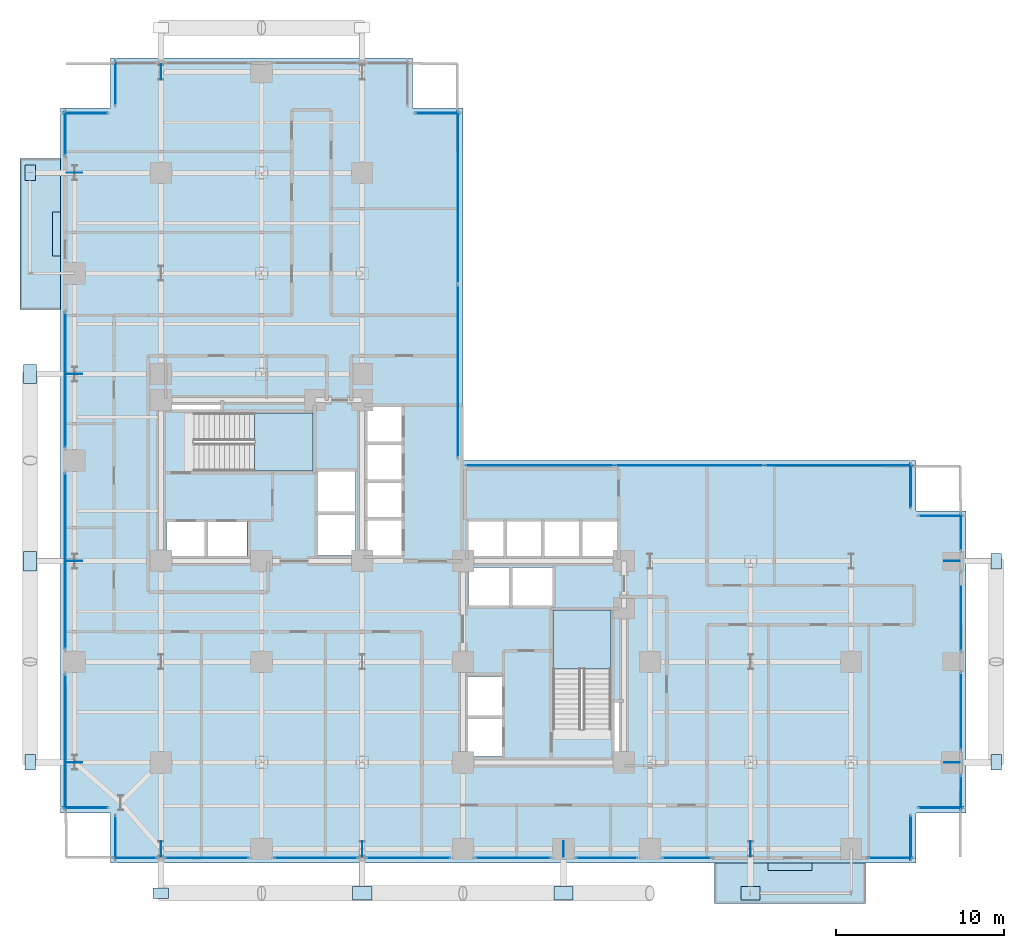
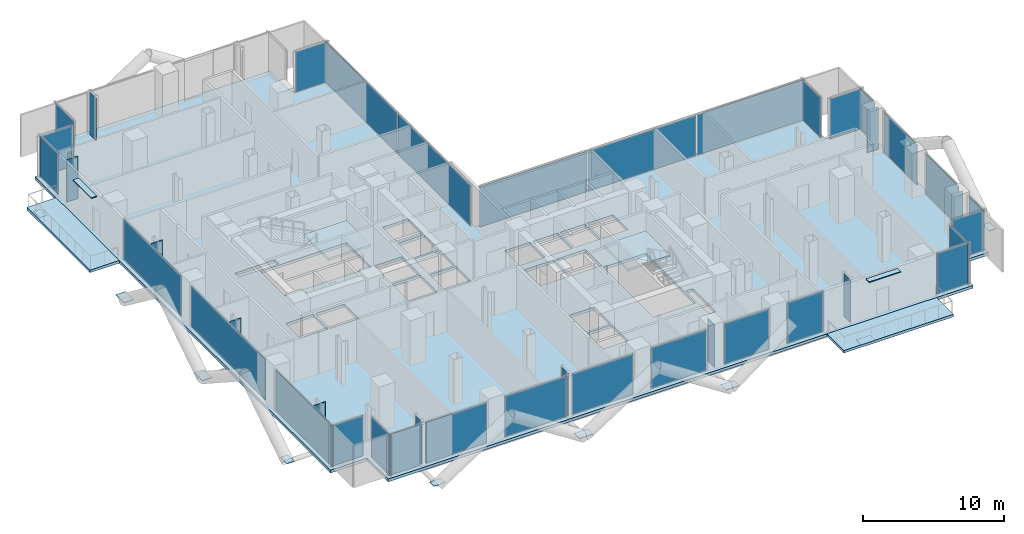
# One storey, part 17 of 27: 53 plates, 5 slabs, 29 elements without a shape of their own.
"""IFC4 building model written with IfcOpenShell, lengths in metres."""

from ifc_helpers import new_model, si_unit, direction, frame, origin, origin_2d, place, context, subcontext, project, spatial, polyline, rectangle, outline, extrude, material, layer, layer_set, type_object, element, aggregate, save


model = new_model("IFC4")

# Units and contexts
model_context = context("Model", 3, precision=1e-05, world=origin(), true_north=direction((0.0, 1.0)))
body_context = subcontext(model_context, "Body", "Model", "MODEL_VIEW")
ifc_project = project(units=[si_unit("LENGTHUNIT", "METRE"), si_unit("AREAUNIT", "SQUARE_METRE"), si_unit("VOLUMEUNIT", "CUBIC_METRE"), si_unit("PLANEANGLEUNIT", "RADIAN"), si_unit("MASSUNIT", "GRAM", prefix="KILO"), si_unit("THERMODYNAMICTEMPERATUREUNIT", "KELVIN"), si_unit("POWERUNIT", "WATT")], contexts=[model_context])

# Site, building, storey
site_placement = place(None, origin())
site = spatial("IfcSite", under=ifc_project, at=site_placement, CompositionType="ELEMENT")
building_placement = place(site_placement, origin())
building = spatial("IfcBuilding", under=site, at=building_placement, Name="Svarakhadi Broadcast Tower", CompositionType="ELEMENT")
storey_placement = place(building_placement, frame((0.0, 0.0, 55.800048828125)))
storey = spatial("IfcBuildingStorey", under=building, at=storey_placement, Name="L12", CompositionType="ELEMENT", Elevation=55.800048828125)

# Curtain wall, plate
ifc_material_1 = material(Name="Anodised Bronze Aluminium AA 6063-T6", Category="aluminium")
ifc_layer_1 = layer(ifc_material_1, 0.219970703125)
ifc_layer_set_1 = layer_set([ifc_layer_1], Name="Anodised Bronze Aluminium AA 6063-T6")
curtain_wall_type = type_object("IfcCurtainWallType", Name="CW_Sys_02", PredefinedType="NOTDEFINED", material=ifc_layer_set_1)
curtain_wall_1_placement = place(storey_placement, origin())
curtain_wall_1 = element("IfcCurtainWall", 1, at=curtain_wall_1_placement, inside=storey, type_object=curtain_wall_type, Name="L12 Unitised Facade Curtain Wall 01", PredefinedType="NOTDEFINED")
ifc_material_2 = material(Name="Double Low-E Laminated Acoustic Glass IGU 36 mm", Category="glass")
ifc_layer_2 = layer(ifc_material_2, 0.035888671875)
ifc_layer_set_2 = layer_set([ifc_layer_2], Name="Double Low-E Laminated Acoustic Glass IGU 36 mm")
plate_type_1 = type_object("IfcPlateType", Name="CW_Sys_02_Pnl", PredefinedType="CURTAIN_PANEL", material=ifc_layer_set_2)
plate_1_placement = place(storey_placement, frame((1.5, 3.300048828125, 0.074951171875), z_axis=(0.0, 0.0, 1.0), x_axis=(-1.0, 0.0, 0.0)))
plate_1 = element("IfcPlate", 2, at=plate_1_placement, type_object=plate_type_1, Name="CW-02 panel 1.1", PredefinedType="CURTAIN_PANEL", context=body_context, shape_type="SweptSolid", body=[
    extrude(rectangle(XDim=2.64990234375, YDim=0.035888671875, at=origin_2d()), origin(), (0.0, 0.0, 1.0), 3.5),
])
aggregate(curtain_wall_1, [plate_1])

curtain_wall_2_placement = place(storey_placement, origin())
curtain_wall_2 = element("IfcCurtainWall", 3, at=curtain_wall_2_placement, inside=storey, type_object=curtain_wall_type, Name="L12 West Curtain Wall 02 Bay 1", PredefinedType="NOTDEFINED")
plate_2_placement = place(storey_placement, frame((0.300048828125, 7.2099609375, 0.074951171875), z_axis=(0.0, 0.0, 1.0), x_axis=(0.0, 1.0, 0.0)))
plate_2 = element("IfcPlate", 4, at=plate_2_placement, type_object=plate_type_1, Name="CW-02 panel 1.1", PredefinedType="CURTAIN_PANEL", context=body_context, shape_type="SweptSolid", body=[
    extrude(rectangle(XDim=8.070068359375, YDim=0.035888671875, at=origin_2d()), origin(), (0.0, 0.0, 1.0), 3.5),
])
aggregate(curtain_wall_2, [plate_2])

curtain_wall_3_placement = place(storey_placement, origin())
curtain_wall_3 = element("IfcCurtainWall", 5, at=curtain_wall_3_placement, inside=storey, type_object=curtain_wall_type, Name="L12 West Curtain Wall 02 Bay 2", PredefinedType="NOTDEFINED")
plate_3_placement = place(storey_placement, frame((0.300048828125, 18.0, 0.074951171875), z_axis=(0.0, 0.0, 1.0), x_axis=(0.0, 1.0, 0.0)))
plate_3 = element("IfcPlate", 6, at=plate_3_placement, type_object=plate_type_1, Name="CW-02 panel 1.1", PredefinedType="CURTAIN_PANEL", context=body_context, shape_type="SweptSolid", body=[
    extrude(rectangle(XDim=10.489990234375, YDim=0.035888671875, at=origin_2d()), origin(), (0.0, 0.0, 1.0), 3.5),
])
aggregate(curtain_wall_3, [plate_3])

curtain_wall_4_placement = place(storey_placement, origin())
curtain_wall_4 = element("IfcCurtainWall", 7, at=curtain_wall_4_placement, inside=storey, type_object=curtain_wall_type, Name="L12 West Curtain Wall 02 Bay 3", PredefinedType="NOTDEFINED")
plate_4_placement = place(storey_placement, frame((0.300048828125, 28.7900390625, 0.074951171875), z_axis=(0.0, 0.0, 1.0), x_axis=(0.0, 1.0, 0.0)))
plate_4 = element("IfcPlate", 8, at=plate_4_placement, type_object=plate_type_1, Name="CW-02 panel 1.1", PredefinedType="CURTAIN_PANEL", context=body_context, shape_type="SweptSolid", body=[
    extrude(rectangle(XDim=8.070068359375, YDim=0.035888671875, at=origin_2d()), origin(), (0.0, 0.0, 1.0), 3.5),
])
aggregate(curtain_wall_4, [plate_4])

curtain_wall_5_placement = place(storey_placement, origin())
curtain_wall_5 = element("IfcCurtainWall", 9, at=curtain_wall_5_placement, inside=storey, type_object=curtain_wall_type, Name="L12 West Curtain Wall 03", PredefinedType="NOTDEFINED")
plate_5_placement = place(storey_placement, frame((0.300048828125, 43.5, 0.074951171875), z_axis=(0.0, 0.0, 1.0), x_axis=(0.0, 1.0, 0.0)))
plate_5 = element("IfcPlate", 10, at=plate_5_placement, type_object=plate_type_1, Name="CW-02 panel 1.1", PredefinedType="CURTAIN_PANEL", context=body_context, shape_type="SweptSolid", body=[
    extrude(rectangle(XDim=2.64990234375, YDim=0.035888671875, at=origin_2d()), origin(), (0.0, 0.0, 1.0), 3.5),
])
aggregate(curtain_wall_5, [plate_5])

curtain_wall_6_placement = place(storey_placement, origin())
curtain_wall_6 = element("IfcCurtainWall", 11, at=curtain_wall_6_placement, inside=storey, type_object=curtain_wall_type, Name="L12 Unitised Facade Curtain Wall 04", PredefinedType="NOTDEFINED")
plate_6_placement = place(storey_placement, frame((1.5, 44.699951171875, 0.074951171875), z_axis=(0.0, 0.0, 1.0), x_axis=(1.0, 0.0, 0.0)))
plate_6 = element("IfcPlate", 12, at=plate_6_placement, type_object=plate_type_1, Name="CW-02 panel 1.1", PredefinedType="CURTAIN_PANEL", context=body_context, shape_type="SweptSolid", body=[
    extrude(rectangle(XDim=2.64990234375, YDim=0.035888671875, at=origin_2d()), origin(), (0.0, 0.0, 1.0), 3.5),
])
aggregate(curtain_wall_6, [plate_6])

curtain_wall_7_placement = place(storey_placement, origin())
curtain_wall_7 = element("IfcCurtainWall", 13, at=curtain_wall_7_placement, inside=storey, type_object=curtain_wall_type, Name="L12 Unitised Facade Curtain Wall 05", PredefinedType="NOTDEFINED")
plate_7_placement = place(storey_placement, frame((3.300048828125, 46.5, 0.074951171875), z_axis=(0.0, 0.0, 1.0), x_axis=(0.0, 1.0, 0.0)))
plate_7 = element("IfcPlate", 14, at=plate_7_placement, type_object=plate_type_1, Name="CW-02 panel 1.1", PredefinedType="CURTAIN_PANEL", context=body_context, shape_type="SweptSolid", body=[
    extrude(rectangle(XDim=2.64990234375, YDim=0.035888671875, at=origin_2d()), origin(), (0.0, 0.0, 1.0), 3.5),
])
aggregate(curtain_wall_7, [plate_7])

curtain_wall_8_placement = place(storey_placement, origin())
curtain_wall_8 = element("IfcCurtainWall", 15, at=curtain_wall_8_placement, inside=storey, type_object=curtain_wall_type, Name="L12 Unitised Facade Curtain Wall 08", PredefinedType="NOTDEFINED")
plate_8_placement = place(storey_placement, frame((22.5, 44.699951171875, 0.074951171875), z_axis=(0.0, 0.0, 1.0), x_axis=(1.0, 0.0, 0.0)))
plate_8 = element("IfcPlate", 16, at=plate_8_placement, type_object=plate_type_1, Name="CW-02 panel 1.1", PredefinedType="CURTAIN_PANEL", context=body_context, shape_type="SweptSolid", body=[
    extrude(rectangle(XDim=2.64990234375, YDim=0.035888671875, at=origin_2d()), origin(), (0.0, 0.0, 1.0), 3.5),
])
aggregate(curtain_wall_8, [plate_8])

# Curtain wall, plates
curtain_wall_9_placement = place(storey_placement, origin())
curtain_wall_9 = element("IfcCurtainWall", 17, at=curtain_wall_9_placement, inside=storey, type_object=curtain_wall_type, Name="L12 Unitised Facade Curtain Wall 09", PredefinedType="NOTDEFINED")
plate_9_placement = place(storey_placement, frame((23.699951171875, 39.683837890625, 0.074951171875), z_axis=(0.0, 0.0, 1.0), x_axis=(0.0, -1.0, 0.0)))
plate_9 = element("IfcPlate", 18, at=plate_9_placement, type_object=plate_type_1, Name="CW-02 panel 1.1", PredefinedType="CURTAIN_PANEL", context=body_context, shape_type="SweptSolid", body=[
    extrude(rectangle(XDim=10.282470703125, YDim=0.035888671875, at=origin_2d()), origin(), (0.0, 0.0, 1.0), 3.5),
])
plate_10_placement = place(storey_placement, frame((23.699951171875, 29.316162109375, 0.074951171875), z_axis=(0.0, 0.0, 1.0), x_axis=(0.0, -1.0, 0.0)))
plate_10 = element("IfcPlate", 19, at=plate_10_placement, type_object=plate_type_1, Name="CW-02 panel 2.1", PredefinedType="CURTAIN_PANEL", context=body_context, shape_type="SweptSolid", body=[
    extrude(rectangle(XDim=10.282470703125, YDim=0.035888671875, at=origin_2d()), origin(), (0.0, 0.0, 1.0), 3.5),
])
aggregate(curtain_wall_9, [plate_9, plate_10])

curtain_wall_10_placement = place(storey_placement, origin())
curtain_wall_10 = element("IfcCurtainWall", 20, at=curtain_wall_10_placement, inside=storey, type_object=curtain_wall_type, Name="L12 Unitised Facade Curtain Wall 10", PredefinedType="NOTDEFINED")
plate_11_placement = place(storey_placement, frame((28.581298828125, 23.699951171875, 0.074951171875), z_axis=(0.0, 0.0, 1.0), x_axis=(1.0, 0.0, 0.0)))
plate_11 = element("IfcPlate", 21, at=plate_11_placement, type_object=plate_type_1, Name="CW-02 panel 1.1", PredefinedType="CURTAIN_PANEL", context=body_context, shape_type="SweptSolid", body=[
    extrude(rectangle(XDim=8.8125, YDim=0.035888671875, at=origin_2d()), origin(), (0.0, 0.0, 1.0), 3.5),
])
plate_12_placement = place(storey_placement, frame((37.5, 23.699951171875, 0.074951171875), z_axis=(0.0, 0.0, 1.0), x_axis=(1.0, 0.0, 0.0)))
plate_12 = element("IfcPlate", 22, at=plate_12_placement, type_object=plate_type_1, Name="CW-02 panel 2.1", PredefinedType="CURTAIN_PANEL", context=body_context, shape_type="SweptSolid", body=[
    extrude(rectangle(XDim=8.85498046875, YDim=0.035888671875, at=origin_2d()), origin(), (0.0, 0.0, 1.0), 3.5),
])
plate_13_placement = place(storey_placement, frame((46.418701171875, 23.699951171875, 0.074951171875), z_axis=(0.0, 0.0, 1.0), x_axis=(1.0, 0.0, 0.0)))
plate_13 = element("IfcPlate", 23, at=plate_13_placement, type_object=plate_type_1, Name="CW-02 panel 3.1", PredefinedType="CURTAIN_PANEL", context=body_context, shape_type="SweptSolid", body=[
    extrude(rectangle(XDim=8.8125, YDim=0.035888671875, at=origin_2d()), origin(), (0.0, 0.0, 1.0), 3.5),
])
aggregate(curtain_wall_10, [plate_11, plate_12, plate_13])

# Curtain wall, plate
curtain_wall_11_placement = place(storey_placement, origin())
curtain_wall_11 = element("IfcCurtainWall", 24, at=curtain_wall_11_placement, inside=storey, type_object=curtain_wall_type, Name="L12 Unitised Facade Curtain Wall 11", PredefinedType="NOTDEFINED")
plate_14_placement = place(storey_placement, frame((50.699951171875, 22.5, 0.074951171875), z_axis=(0.0, 0.0, 1.0), x_axis=(0.0, -1.0, 0.0)))
plate_14 = element("IfcPlate", 25, at=plate_14_placement, type_object=plate_type_1, Name="CW-02 panel 1.1", PredefinedType="CURTAIN_PANEL", context=body_context, shape_type="SweptSolid", body=[
    extrude(rectangle(XDim=2.64990234375, YDim=0.035888671875, at=origin_2d()), origin(), (0.0, 0.0, 1.0), 3.5),
])
aggregate(curtain_wall_11, [plate_14])

curtain_wall_12_placement = place(storey_placement, origin())
curtain_wall_12 = element("IfcCurtainWall", 26, at=curtain_wall_12_placement, inside=storey, type_object=curtain_wall_type, Name="L12 Unitised Facade Curtain Wall 12", PredefinedType="NOTDEFINED")
plate_15_placement = place(storey_placement, frame((52.5, 20.699951171875, 0.074951171875), z_axis=(0.0, 0.0, 1.0), x_axis=(1.0, 0.0, 0.0)))
plate_15 = element("IfcPlate", 27, at=plate_15_placement, type_object=plate_type_1, Name="CW-02 panel 1.1", PredefinedType="CURTAIN_PANEL", context=body_context, shape_type="SweptSolid", body=[
    extrude(rectangle(XDim=2.64990234375, YDim=0.035888671875, at=origin_2d()), origin(), (0.0, 0.0, 1.0), 3.5),
])
aggregate(curtain_wall_12, [plate_15])

curtain_wall_13_placement = place(storey_placement, origin())
curtain_wall_13 = element("IfcCurtainWall", 28, at=curtain_wall_13_placement, inside=storey, type_object=curtain_wall_type, Name="L12 Unitised Facade Curtain Wall 13 Bay 1", PredefinedType="NOTDEFINED")
plate_16_placement = place(storey_placement, frame((53.699951171875, 19.739990234375, 0.074951171875), z_axis=(0.0, 0.0, 1.0), x_axis=(0.0, -1.0, 0.0)))
plate_16 = element("IfcPlate", 29, at=plate_16_placement, type_object=plate_type_1, Name="CW-02 panel 1.1", PredefinedType="CURTAIN_PANEL", context=body_context, shape_type="SweptSolid", body=[
    extrude(rectangle(XDim=2.169921875, YDim=0.035888671875, at=origin_2d()), origin(), (0.0, 0.0, 1.0), 3.5),
])
aggregate(curtain_wall_13, [plate_16])

curtain_wall_14_placement = place(storey_placement, origin())
curtain_wall_14 = element("IfcCurtainWall", 30, at=curtain_wall_14_placement, inside=storey, type_object=curtain_wall_type, Name="L12 Unitised Facade Curtain Wall 13 Bay 2", PredefinedType="NOTDEFINED")
plate_17_placement = place(storey_placement, frame((53.699951171875, 15.0, 0.074951171875), z_axis=(0.0, 0.0, 1.0), x_axis=(0.0, -1.0, 0.0)))
plate_17 = element("IfcPlate", 31, at=plate_17_placement, type_object=plate_type_1, Name="CW-02 panel 1.1", PredefinedType="CURTAIN_PANEL", context=body_context, shape_type="SweptSolid", body=[
    extrude(rectangle(XDim=4.68994140625, YDim=0.035888671875, at=origin_2d()), origin(), (0.0, 0.0, 1.0), 3.5),
])
aggregate(curtain_wall_14, [plate_17])

curtain_wall_15_placement = place(storey_placement, origin())
curtain_wall_15 = element("IfcCurtainWall", 32, at=curtain_wall_15_placement, inside=storey, type_object=curtain_wall_type, Name="L12 Unitised Facade Curtain Wall 13 Bay 3", PredefinedType="NOTDEFINED")
plate_18_placement = place(storey_placement, frame((53.699951171875, 9.050048828125, 0.074951171875), z_axis=(0.0, 0.0, 1.0), x_axis=(0.0, -1.0, 0.0)))
plate_18 = element("IfcPlate", 33, at=plate_18_placement, type_object=plate_type_1, Name="CW-02 panel 1.1", PredefinedType="CURTAIN_PANEL", context=body_context, shape_type="SweptSolid", body=[
    extrude(rectangle(XDim=4.590087890625, YDim=0.035888671875, at=origin_2d()), origin(), (0.0, 0.0, 1.0), 3.5),
])
aggregate(curtain_wall_15, [plate_18])

curtain_wall_16_placement = place(storey_placement, origin())
curtain_wall_16 = element("IfcCurtainWall", 34, at=curtain_wall_16_placement, inside=storey, type_object=curtain_wall_type, Name="L12 Unitised Facade Curtain Wall 13 Bay 4", PredefinedType="NOTDEFINED")
plate_19_placement = place(storey_placement, frame((53.699951171875, 4.2099609375, 0.074951171875), z_axis=(0.0, 0.0, 1.0), x_axis=(0.0, -1.0, 0.0)))
plate_19 = element("IfcPlate", 35, at=plate_19_placement, type_object=plate_type_1, Name="CW-02 panel 1.1", PredefinedType="CURTAIN_PANEL", context=body_context, shape_type="SweptSolid", body=[
    extrude(rectangle(XDim=2.070068359375, YDim=0.035888671875, at=origin_2d()), origin(), (0.0, 0.0, 1.0), 3.5),
])
aggregate(curtain_wall_16, [plate_19])

curtain_wall_17_placement = place(storey_placement, origin())
curtain_wall_17 = element("IfcCurtainWall", 36, at=curtain_wall_17_placement, inside=storey, type_object=curtain_wall_type, Name="L12 Unitised Facade Curtain Wall 14", PredefinedType="NOTDEFINED")
plate_20_placement = place(storey_placement, frame((52.5, 3.300048828125, 0.074951171875), z_axis=(0.0, 0.0, 1.0), x_axis=(-1.0, 0.0, 0.0)))
plate_20 = element("IfcPlate", 37, at=plate_20_placement, type_object=plate_type_1, Name="CW-02 panel 1.1", PredefinedType="CURTAIN_PANEL", context=body_context, shape_type="SweptSolid", body=[
    extrude(rectangle(XDim=2.64990234375, YDim=0.035888671875, at=origin_2d()), origin(), (0.0, 0.0, 1.0), 3.5),
])
aggregate(curtain_wall_17, [plate_20])

curtain_wall_18_placement = place(storey_placement, origin())
curtain_wall_18 = element("IfcCurtainWall", 38, at=curtain_wall_18_placement, inside=storey, type_object=curtain_wall_type, Name="L12 Unitised Facade Curtain Wall 15", PredefinedType="NOTDEFINED")
plate_21_placement = place(storey_placement, frame((50.699951171875, 1.5, 0.074951171875), z_axis=(0.0, 0.0, 1.0), x_axis=(0.0, -1.0, 0.0)))
plate_21 = element("IfcPlate", 39, at=plate_21_placement, type_object=plate_type_1, Name="CW-02 panel 1.1", PredefinedType="CURTAIN_PANEL", context=body_context, shape_type="SweptSolid", body=[
    extrude(rectangle(XDim=2.64990234375, YDim=0.035888671875, at=origin_2d()), origin(), (0.0, 0.0, 1.0), 3.5),
])
aggregate(curtain_wall_18, [plate_21])

curtain_wall_19_placement = place(storey_placement, origin())
curtain_wall_19 = element("IfcCurtainWall", 40, at=curtain_wall_19_placement, inside=storey, type_object=curtain_wall_type, Name="L12 South Curtain Wall 16", PredefinedType="NOTDEFINED")
plate_22_placement = place(storey_placement, frame((49.5, 0.300048828125, 0.074951171875), z_axis=(0.0, 0.0, 1.0), x_axis=(-1.0, 0.0, 0.0)))
plate_22 = element("IfcPlate", 41, at=plate_22_placement, type_object=plate_type_1, Name="CW-02 panel 1.1", PredefinedType="CURTAIN_PANEL", context=body_context, shape_type="SweptSolid", body=[
    extrude(rectangle(XDim=2.64990234375, YDim=0.035888671875, at=origin_2d()), origin(), (0.0, 0.0, 1.0), 3.5),
])
aggregate(curtain_wall_19, [plate_22])

curtain_wall_20_placement = place(storey_placement, origin())
curtain_wall_20 = element("IfcCurtainWall", 42, at=curtain_wall_20_placement, inside=storey, type_object=curtain_wall_type, Name="L12 South Curtain Wall 17 Bay 1", PredefinedType="NOTDEFINED")
plate_23_placement = place(storey_placement, frame((37.364990234375, 0.300048828125, 0.074951171875), z_axis=(0.0, 0.0, 1.0), x_axis=(-1.0, 0.0, 0.0)))
plate_23 = element("IfcPlate", 43, at=plate_23_placement, type_object=plate_type_1, Name="CW-02 panel 1.1", PredefinedType="CURTAIN_PANEL", context=body_context, shape_type="SweptSolid", body=[
    extrude(rectangle(XDim=2.919921875, YDim=0.035888671875, at=origin_2d()), origin(), (0.0, 0.0, 1.0), 3.5),
])
aggregate(curtain_wall_20, [plate_23])

curtain_wall_21_placement = place(storey_placement, origin())
curtain_wall_21 = element("IfcCurtainWall", 44, at=curtain_wall_21_placement, inside=storey, type_object=curtain_wall_type, Name="L12 South Curtain Wall 17 Bay 2", PredefinedType="NOTDEFINED")
plate_24_placement = place(storey_placement, frame((32.574951171875, 0.300048828125, 0.074951171875), z_axis=(0.0, 0.0, 1.0), x_axis=(-1.0, 0.0, 0.0)))
plate_24 = element("IfcPlate", 45, at=plate_24_placement, type_object=plate_type_1, Name="CW-02 panel 1.1", PredefinedType="CURTAIN_PANEL", context=body_context, shape_type="SweptSolid", body=[
    extrude(rectangle(XDim=3.639892578125, YDim=0.035888671875, at=origin_2d()), origin(), (0.0, 0.0, 1.0), 3.5),
])
aggregate(curtain_wall_21, [plate_24])

curtain_wall_22_placement = place(storey_placement, origin())
curtain_wall_22 = element("IfcCurtainWall", 46, at=curtain_wall_22_placement, inside=storey, type_object=curtain_wall_type, Name="L12 South Curtain Wall 17 Bay 3", PredefinedType="NOTDEFINED")
plate_25_placement = place(storey_placement, frame((27.0, 0.300048828125, 0.074951171875), z_axis=(0.0, 0.0, 1.0), x_axis=(-1.0, 0.0, 0.0)))
plate_25 = element("IfcPlate", 47, at=plate_25_placement, type_object=plate_type_1, Name="CW-02 panel 1.1", PredefinedType="CURTAIN_PANEL", context=body_context, shape_type="SweptSolid", body=[
    extrude(rectangle(XDim=4.489990234375, YDim=0.035888671875, at=origin_2d()), origin(), (0.0, 0.0, 1.0), 3.5),
])
aggregate(curtain_wall_22, [plate_25])

curtain_wall_23_placement = place(storey_placement, origin())
curtain_wall_23 = element("IfcCurtainWall", 48, at=curtain_wall_23_placement, inside=storey, type_object=curtain_wall_type, Name="L12 South Curtain Wall 17 Bay 4", PredefinedType="NOTDEFINED")
plate_26_placement = place(storey_placement, frame((20.75, 0.300048828125, 0.074951171875), z_axis=(0.0, 0.0, 1.0), x_axis=(-1.0, 0.0, 0.0)))
plate_26 = element("IfcPlate", 49, at=plate_26_placement, type_object=plate_type_1, Name="CW-02 panel 1.1", PredefinedType="CURTAIN_PANEL", context=body_context, shape_type="SweptSolid", body=[
    extrude(rectangle(XDim=4.989990234375, YDim=0.035888671875, at=origin_2d()), origin(), (0.0, 0.0, 1.0), 3.5),
])
aggregate(curtain_wall_23, [plate_26])

curtain_wall_24_placement = place(storey_placement, origin())
curtain_wall_24 = element("IfcCurtainWall", 50, at=curtain_wall_24_placement, inside=storey, type_object=curtain_wall_type, Name="L12 South Curtain Wall 17 Bay 5", PredefinedType="NOTDEFINED")
plate_27_placement = place(storey_placement, frame((15.25, 0.300048828125, 0.074951171875), z_axis=(0.0, 0.0, 1.0), x_axis=(-1.0, 0.0, 0.0)))
plate_27 = element("IfcPlate", 51, at=plate_27_placement, type_object=plate_type_1, Name="CW-02 panel 1.1", PredefinedType="CURTAIN_PANEL", context=body_context, shape_type="SweptSolid", body=[
    extrude(rectangle(XDim=4.989990234375, YDim=0.035888671875, at=origin_2d()), origin(), (0.0, 0.0, 1.0), 3.5),
])
aggregate(curtain_wall_24, [plate_27])

curtain_wall_25_placement = place(storey_placement, origin())
curtain_wall_25 = element("IfcCurtainWall", 52, at=curtain_wall_25_placement, inside=storey, type_object=curtain_wall_type, Name="L12 South Curtain Wall 17 Bay 6", PredefinedType="NOTDEFINED")
plate_28_placement = place(storey_placement, frame((8.75, 0.300048828125, 0.074951171875), z_axis=(0.0, 0.0, 1.0), x_axis=(-1.0, 0.0, 0.0)))
plate_28 = element("IfcPlate", 53, at=plate_28_placement, type_object=plate_type_1, Name="CW-02 panel 1.1", PredefinedType="CURTAIN_PANEL", context=body_context, shape_type="SweptSolid", body=[
    extrude(rectangle(XDim=4.989990234375, YDim=0.035888671875, at=origin_2d()), origin(), (0.0, 0.0, 1.0), 3.5),
])
aggregate(curtain_wall_25, [plate_28])

curtain_wall_26_placement = place(storey_placement, origin())
curtain_wall_26 = element("IfcCurtainWall", 54, at=curtain_wall_26_placement, inside=storey, type_object=curtain_wall_type, Name="L12 South Curtain Wall 17 Bay 7", PredefinedType="NOTDEFINED")
plate_29_placement = place(storey_placement, frame((4.4599609375, 0.300048828125, 0.074951171875), z_axis=(0.0, 0.0, 1.0), x_axis=(-1.0, 0.0, 0.0)))
plate_29 = element("IfcPlate", 55, at=plate_29_placement, type_object=plate_type_1, Name="CW-02 panel 1.1", PredefinedType="CURTAIN_PANEL", context=body_context, shape_type="SweptSolid", body=[
    extrude(rectangle(XDim=2.570068359375, YDim=0.035888671875, at=origin_2d()), origin(), (0.0, 0.0, 1.0), 3.5),
])
aggregate(curtain_wall_26, [plate_29])

curtain_wall_27_placement = place(storey_placement, origin())
curtain_wall_27 = element("IfcCurtainWall", 56, at=curtain_wall_27_placement, inside=storey, type_object=curtain_wall_type, Name="L12 Unitised Facade Curtain Wall 18", PredefinedType="NOTDEFINED")
plate_30_placement = place(storey_placement, frame((3.300048828125, 1.5, 0.074951171875), z_axis=(0.0, 0.0, 1.0), x_axis=(0.0, 1.0, 0.0)))
plate_30 = element("IfcPlate", 57, at=plate_30_placement, type_object=plate_type_1, Name="CW-02 panel 1.1", PredefinedType="CURTAIN_PANEL", context=body_context, shape_type="SweptSolid", body=[
    extrude(rectangle(XDim=2.64990234375, YDim=0.035888671875, at=origin_2d()), origin(), (0.0, 0.0, 1.0), 3.5),
])
aggregate(curtain_wall_27, [plate_30])

# Plates
ifc_material_3 = material(Name="Steel S460ML (IS 2062 E450BR)", Category="steel")
ifc_layer_3 = layer(ifc_material_3, 0.035888671875)
ifc_layer_set_3 = layer_set([ifc_layer_3], Name="Steel S460ML (IS 2062 E450BR)")
plate_type_2 = type_object("IfcPlateType", Name="Node_Gusset_N01", PredefinedType="SHEET", material=ifc_layer_set_3)
for number, where, z_axis, x_axis, name in (
    (58, (18.0, -1.800048828125, -0.25), (0.0, 0.0, 1.0), (1.0, 0.0, 0.0), "L12 Exoskeleton Gusset Node Plate S02"),
    (59, (30.0, -1.800048828125, -0.25), (0.0, 0.0, 1.0), (1.0, 0.0, 0.0), "L12 Exoskeleton Gusset Node Plate S03"),
    (60, (41.14990234375, -1.800048828125, -0.25), (0.0, 0.0, 1.0), (1.0, 0.0, 0.0), "L12 Exoskeleton Gusset Node Plate S04"),
    (61, (-1.800048828125, 18.0, -0.25), (0.0, 0.0, 1.0), (0.0, 1.0, 0.0), "L12 Exoskeleton Gusset Node Plate W06"),
    (62, (-1.800048828125, 29.14990234375, -0.25), (0.0, 0.0, 1.0), (0.0, 1.0, 0.0), "L12 Exoskeleton Gusset Node Plate W07"),
):
    element("IfcPlate", number, at=place(storey_placement, frame(where, z_axis=z_axis, x_axis=x_axis)), inside=storey, type_object=plate_type_2, Name=name, PredefinedType="SHEET", context=body_context, shape_type="SweptSolid", body=[
        extrude(rectangle(XDim=1.14990234375, YDim=0.780029296875, at=origin_2d()), origin(), (0.0, 0.0, 1.0), 0.035888671875),
    ])
ifc_layer_4 = layer(ifc_material_3, 0.02587890625)
ifc_layer_set_4 = layer_set([ifc_layer_4], Name="Steel S460ML (IS 2062 E450BR)")
plate_type_3 = type_object("IfcPlateType", Name="Node_Gusset_N07", PredefinedType="SHEET", material=ifc_layer_set_4)
for number, where, z_axis, x_axis, name in (
    (63, (6.0, -1.800048828125, -0.25), (0.0, 0.0, 1.0), (1.0, 0.0, 0.0), "L12 Exoskeleton Gusset Node Plate S01"),
    (64, (-1.800048828125, 6.0, -0.25), (0.0, 0.0, 1.0), (0.0, 1.0, 0.0), "L12 Exoskeleton Gusset Node Plate W05"),
    (65, (-1.800048828125, 41.14990234375, -0.25), (0.0, 0.0, 1.0), (0.0, 1.0, 0.0), "L12 Exoskeleton Gusset Node Plate W08"),
    (66, (55.800048828125, 6.0, -0.25), (0.0, 0.0, 1.0), (0.0, 1.0, 0.0), "L12 Exoskeleton Gusset Node Plate E09"),
    (67, (55.800048828125, 18.0, -0.25), (0.0, 0.0, 1.0), (0.0, 1.0, 0.0), "L12 Exoskeleton Gusset Node Plate E10"),
):
    element("IfcPlate", number, at=place(storey_placement, frame(where, z_axis=z_axis, x_axis=x_axis)), inside=storey, type_object=plate_type_3, Name=name, PredefinedType="SHEET", context=body_context, shape_type="SweptSolid", body=[
        extrude(rectangle(XDim=0.919921875, YDim=0.6201171875, at=origin_2d()), origin(), (0.0, 0.0, 1.0), 0.02587890625),
    ])
for number, where, z_axis, x_axis, name in (
    (68, (6.0, 0.85009765625, -0.6279296875), (0.0, 0.0, 1.0), (0.0, 1.0, 0.0), "L12 Brace End Connection Gusset Plate N-07-E0072"),
    (69, (18.0, 0.85009765625, -0.6279296875), (0.0, 0.0, 1.0), (0.0, 1.0, 0.0), "L12 Brace End Connection Gusset Plate N-07-E0073"),
    (70, (30.0, 0.85009765625, -0.6279296875), (0.0, 0.0, 1.0), (0.0, 1.0, 0.0), "L12 Brace End Connection Gusset Plate N-07-E0074"),
    (71, (41.14990234375, 0.85009765625, -0.6279296875), (0.0, 0.0, 1.0), (0.0, 1.0, 0.0), "L12 Brace End Connection Gusset Plate N-07-E0075"),
    (72, (0.85009765625, 6.0, -0.6279296875), (0.0, 0.0, 1.0), (1.0, 0.0, 0.0), "L12 Brace End Connection Gusset Plate N-07-E0076"),
    (73, (0.85009765625, 18.0, -0.6279296875), (0.0, 0.0, 1.0), (1.0, 0.0, 0.0), "L12 Brace End Connection Gusset Plate N-07-E0077"),
    (74, (0.85009765625, 29.14990234375, -0.6279296875), (0.0, 0.0, 1.0), (1.0, 0.0, 0.0), "L12 Brace End Connection Gusset Plate N-07-E0078"),
    (75, (0.85009765625, 41.14990234375, -0.6279296875), (0.0, 0.0, 1.0), (1.0, 0.0, 0.0), "L12 Brace End Connection Gusset Plate N-07-E0079"),
    (76, (53.14990234375, 6.0, -0.6279296875), (0.0, 0.0, 1.0), (1.0, 0.0, 0.0), "L12 Brace End Connection Gusset Plate N-07-E0080"),
    (77, (53.14990234375, 18.0, -0.6279296875), (0.0, 0.0, 1.0), (1.0, 0.0, 0.0), "L12 Brace End Connection Gusset Plate N-07-E0081"),
    (78, (6.0, 47.14990234375, -0.6279296875), (0.0, 0.0, 1.0), (0.0, 1.0, 0.0), "L12 Brace End Connection Gusset Plate N-07-E0082"),
):
    element("IfcPlate", number, at=place(storey_placement, frame(where, z_axis=z_axis, x_axis=x_axis)), inside=storey, type_object=plate_type_3, Name=name, PredefinedType="SHEET", context=body_context, shape_type="SweptSolid", body=[
        extrude(rectangle(XDim=0.919921875, YDim=0.02587890625, at=origin_2d()), origin(), (0.0, 0.0, 1.0), 4.300048828125),
    ])

# Slab
ifc_material_4 = material(Name="Concrete C40/50 (IS 456 M50)", Category="concrete")
ifc_layer_5 = layer(ifc_material_4, 0.25)
ifc_layer_set_5 = layer_set([ifc_layer_5], Name="Concrete C40/50 (IS 456 M50)")
slab_type_1 = type_object("IfcSlabType", Name="Slab_Floor_250", PredefinedType="FLOOR", material=ifc_layer_set_5)
slab_1_placement = place(storey_placement, frame((0.0, 0.0, -0.25)))
element("IfcSlab", 79, at=slab_1_placement, inside=storey, type_object=slab_type_1, Name="L12 Structural Floor Slab", PredefinedType="FLOOR", context=body_context, shape_type="SweptSolid", body=[
    extrude(outline(polyline([(3.0, 0.0), (51.0, 0.0), (51.0, 3.0), (54.0, 3.0), (54.0, 21.0), (51.0, 21.0), (51.0, 24.0), (24.0, 24.0), (24.0, 45.0), (21.0, 45.0), (21.0, 48.0), (3.0, 48.0), (3.0, 45.0), (0.0, 45.0), (0.0, 3.0), (3.0, 3.0), (3.0, 0.0)]), holes=[polyline([(7.97998046875, 23.360107421875), (15.080078125, 23.360107421875), (15.080078125, 26.840087890625), (7.97998046875, 26.840087890625), (7.97998046875, 23.360107421875)]), polyline([(32.840087890625, 7.97998046875), (32.840087890625, 15.080078125), (29.360107421875, 15.080078125), (29.360107421875, 7.97998046875), (32.840087890625, 7.97998046875)]), polyline([(6.340087890625, 18.2900390625), (8.610107421875, 18.2900390625), (8.610107421875, 20.330078125), (6.340087890625, 20.330078125), (6.340087890625, 18.2900390625)]), polyline([(8.7900390625, 18.2900390625), (11.1298828125, 18.2900390625), (11.1298828125, 20.330078125), (8.7900390625, 20.330078125), (8.7900390625, 18.2900390625)]), polyline([(24.2900390625, 6.340087890625), (26.330078125, 6.340087890625), (26.330078125, 8.610107421875), (24.2900390625, 8.610107421875), (24.2900390625, 6.340087890625)]), polyline([(24.2900390625, 8.7900390625), (26.330078125, 8.7900390625), (26.330078125, 11.1298828125), (24.2900390625, 11.1298828125), (24.2900390625, 8.7900390625)]), polyline([(6.340087890625, 26.989990234375), (9.610107421875, 26.989990234375), (9.610107421875, 27.530029296875), (6.340087890625, 27.530029296875), (6.340087890625, 26.989990234375)]), polyline([(32.989990234375, 6.340087890625), (33.530029296875, 6.340087890625), (33.530029296875, 9.610107421875), (32.989990234375, 9.610107421875), (32.989990234375, 6.340087890625)]), polyline([(15.340087890625, 18.340087890625), (17.610107421875, 18.340087890625), (17.610107421875, 20.760009765625), (15.340087890625, 20.760009765625), (15.340087890625, 18.340087890625)]), polyline([(15.340087890625, 20.93994140625), (17.610107421875, 20.93994140625), (17.610107421875, 23.360107421875), (15.340087890625, 23.360107421875), (15.340087890625, 20.93994140625)]), polyline([(24.340087890625, 15.340087890625), (26.760009765625, 15.340087890625), (26.760009765625, 17.610107421875), (24.340087890625, 17.610107421875), (24.340087890625, 15.340087890625)]), polyline([(26.93994140625, 15.340087890625), (29.360107421875, 15.340087890625), (29.360107421875, 17.610107421875), (26.93994140625, 17.610107421875), (26.93994140625, 15.340087890625)]), polyline([(18.239990234375, 18.340087890625), (20.360107421875, 18.340087890625), (20.360107421875, 20.429931640625), (18.239990234375, 20.429931640625), (18.239990234375, 18.340087890625)]), polyline([(18.239990234375, 20.610107421875), (20.360107421875, 20.610107421875), (20.360107421875, 22.679931640625), (18.239990234375, 22.679931640625), (18.239990234375, 20.610107421875)]), polyline([(18.239990234375, 22.860107421875), (20.360107421875, 22.860107421875), (20.360107421875, 24.929931640625), (18.239990234375, 24.929931640625), (18.239990234375, 22.860107421875)]), polyline([(18.239990234375, 25.110107421875), (20.360107421875, 25.110107421875), (20.360107421875, 27.2099609375), (18.239990234375, 27.2099609375), (18.239990234375, 25.110107421875)]), polyline([(24.340087890625, 18.239990234375), (26.429931640625, 18.239990234375), (26.429931640625, 20.360107421875), (24.340087890625, 20.360107421875), (24.340087890625, 18.239990234375)]), polyline([(26.610107421875, 18.239990234375), (28.679931640625, 18.239990234375), (28.679931640625, 20.360107421875), (26.610107421875, 20.360107421875), (26.610107421875, 18.239990234375)]), polyline([(28.860107421875, 18.239990234375), (30.929931640625, 18.239990234375), (30.929931640625, 20.360107421875), (28.860107421875, 20.360107421875), (28.860107421875, 18.239990234375)]), polyline([(31.110107421875, 18.239990234375), (33.2099609375, 18.239990234375), (33.2099609375, 20.360107421875), (31.110107421875, 20.360107421875), (31.110107421875, 18.239990234375)])]), origin(), (0.0, 0.0, 1.0), 0.25),
])

# Stair, slab
stair_type = type_object("IfcStairType", Name="Stair_Exit_Core", PredefinedType="HALF_TURN_STAIR", material=ifc_material_4)
stair_1_placement = place(storey_placement, origin())
stair_1 = element("IfcStair", 80, at=stair_1_placement, inside=storey, type_object=stair_type, Name="L12 West Core Protected Exit Stair ST-01", PredefinedType="HALF_TURN_STAIR")
ifc_layer_6 = layer(ifc_material_4, 0.199951171875)
ifc_layer_set_6 = layer_set([ifc_layer_6], Name="Concrete C40/50 (IS 456 M50)")
slab_type_2 = type_object("IfcSlabType", Name="Slab_Stair_Land", PredefinedType="LANDING", material=ifc_layer_set_6)
slab_2_placement = place(storey_placement, frame((0.0, 0.0, 1.75)))
slab_2 = element("IfcSlab", 81, at=slab_2_placement, type_object=slab_type_2, Name="ST-01 landing 1", PredefinedType="LANDING", context=body_context, shape_type="SweptSolid", body=[
    extrude(outline(polyline([(11.580078125, 23.360107421875), (15.080078125, 23.360107421875), (15.080078125, 26.840087890625), (11.580078125, 26.840087890625), (11.580078125, 23.360107421875)])), origin(), (0.0, 0.0, 1.0), 0.199951171875),
])
aggregate(stair_1, [slab_2])

stair_2_placement = place(storey_placement, origin())
stair_2 = element("IfcStair", 82, at=stair_2_placement, inside=storey, type_object=stair_type, Name="L12 East Core Protected Exit Stair ST-02", PredefinedType="HALF_TURN_STAIR")
slab_3_placement = place(storey_placement, frame((0.0, 0.0, 1.75)))
slab_3 = element("IfcSlab", 83, at=slab_3_placement, type_object=slab_type_2, Name="ST-02 landing 1", PredefinedType="LANDING", context=body_context, shape_type="SweptSolid", body=[
    extrude(outline(polyline([(32.840087890625, 11.580078125), (32.840087890625, 15.080078125), (29.360107421875, 15.080078125), (29.360107421875, 11.580078125), (32.840087890625, 11.580078125)])), origin(), (0.0, 0.0, 1.0), 0.199951171875),
])
aggregate(stair_2, [slab_3])

# Slabs
ifc_layer_7 = layer(ifc_material_4, 0.22509765625)
ifc_layer_set_7 = layer_set([ifc_layer_7], Name="Concrete C40/50 (IS 456 M50)")
slab_type_3 = type_object("IfcSlabType", Name="Slab_TreeBalcony", PredefinedType="FLOOR", material=ifc_layer_set_7)
slab_4_placement = place(storey_placement, frame((0.0, 0.0, -0.22509765625)))
element("IfcSlab", 84, at=slab_4_placement, inside=storey, type_object=slab_type_3, Name="L12 Planted Tree Balcony Slab BAL-E", PredefinedType="FLOOR", context=body_context, shape_type="SweptSolid", body=[
    extrude(outline(polyline([(39.0, -2.39990234375), (48.0, -2.39990234375), (48.0, 0.0), (39.0, 0.0), (39.0, -2.39990234375)])), origin(), (0.0, 0.0, 1.0), 0.22509765625),
])
slab_5_placement = place(storey_placement, frame((0.0, 0.0, -0.22509765625)))
element("IfcSlab", 85, at=slab_5_placement, inside=storey, type_object=slab_type_3, Name="L12 Planted Tree Balcony Slab BAL-N", PredefinedType="FLOOR", context=body_context, shape_type="SweptSolid", body=[
    extrude(outline(polyline([(-2.39990234375, 33.0), (0.0, 33.0), (0.0, 42.0), (-2.39990234375, 42.0), (-2.39990234375, 33.0)])), origin(), (0.0, 0.0, 1.0), 0.22509765625),
])

# Plates
ifc_layer_8 = layer(ifc_material_1, 0.080078125)
ifc_layer_set_8 = layer_set([ifc_layer_8], Name="Anodised Bronze Aluminium AA 6063-T6")
plate_type_4 = type_object("IfcPlateType", Name="Sunshade_Fin_SS01", PredefinedType="USERDEFINED", material=ifc_layer_set_8)
for number, where, z_axis, x_axis, name in (
    (86, (43.5, -0.22509765625, 3.56982421875), (0.0, 0.0, 1.0), (1.0, 0.0, 0.0), "L12 South Bronze Brise-Soleil Sunshade SS-01"),
    (87, (-0.22509765625, 37.5, 3.56982421875), (0.0, 0.0, 1.0), (0.0, 1.0, 0.0), "L12 West Bronze Brise-Soleil Sunshade SS-01"),
):
    element("IfcPlate", number, at=place(storey_placement, frame(where, z_axis=z_axis, x_axis=x_axis)), inside=storey, type_object=plate_type_4, Name=name, ObjectType="SUNSHADE", PredefinedType="USERDEFINED", context=body_context, shape_type="SweptSolid", body=[
        extrude(rectangle(XDim=2.60009765625, YDim=0.449951171875, at=origin_2d()), origin(), (0.0, 0.0, 1.0), 0.080078125),
    ])

save(model, "model.ifc")
